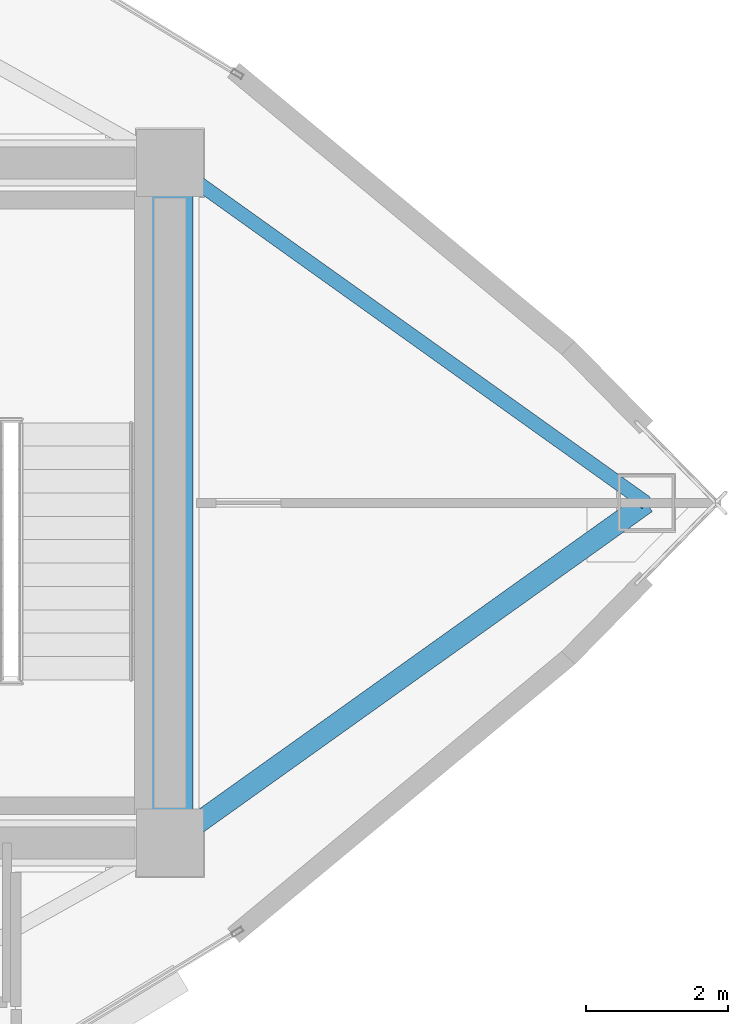
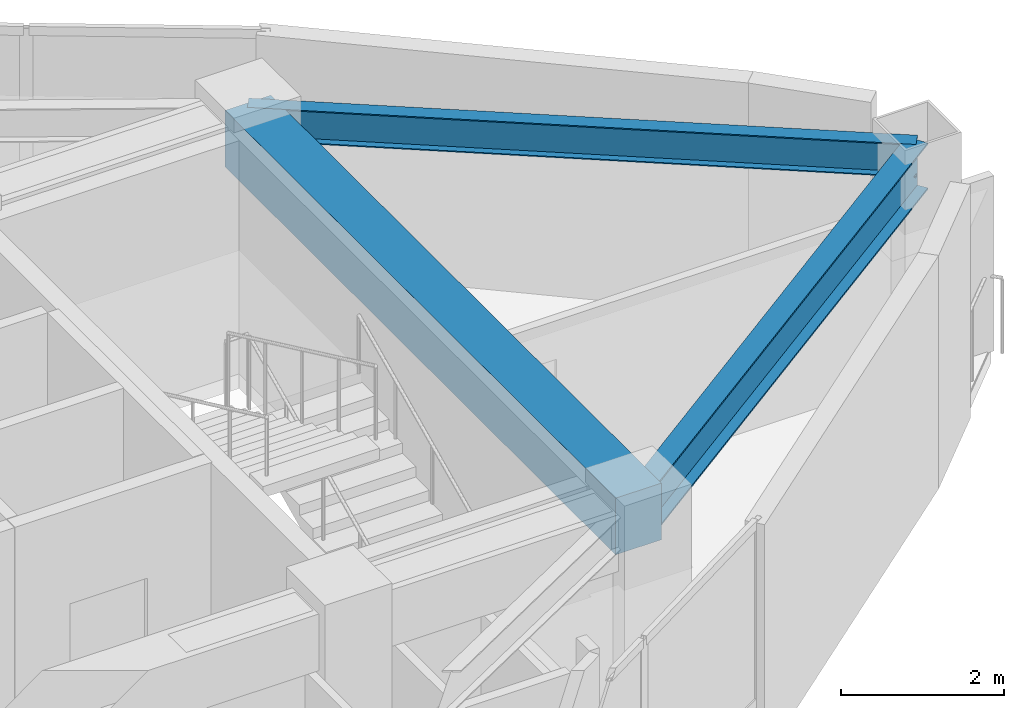
# One storey, part 6 of 15: 3 beams.
"""IFC4 building model written with IfcOpenShell, lengths in metres."""

from ifc_helpers import new_model, si_unit, direction, frame, origin, origin_2d, place, context, subcontext, project, spatial, rectangle, i_section, extrude, material, material_profile, profile_set, type_object, element, save


model = new_model("IFC4")

# Units and contexts
model_context = context("Model", 3, precision=1e-05, world=origin(), true_north=direction((0.0, 1.0)))
body_context = subcontext(model_context, "Body", "Model", "MODEL_VIEW")
ifc_project = project(units=[si_unit("LENGTHUNIT", "METRE"), si_unit("AREAUNIT", "SQUARE_METRE"), si_unit("VOLUMEUNIT", "CUBIC_METRE"), si_unit("PLANEANGLEUNIT", "RADIAN"), si_unit("MASSUNIT", "GRAM", prefix="KILO")], contexts=[model_context])

# Site, building, storey
site_placement = place(None, origin())
site = spatial("IfcSite", under=ifc_project, at=site_placement, CompositionType="ELEMENT")
building_placement = place(site_placement, origin())
building = spatial("IfcBuilding", under=site, at=building_placement, Name="Menara Vayukalpa", CompositionType="ELEMENT")
storey_placement = place(building_placement, frame((0.0, 0.0, 258.300048828125)))
storey = spatial("IfcBuildingStorey", under=building, at=storey_placement, Name="L65", CompositionType="ELEMENT", Elevation=258.300048828125)

# Beams
ifc_material_1 = material(Name="Concrete C60/75", Category="concrete")
ifc_material_profile_1 = material_profile(ifc_material_1, rectangle(XDim=0.64990234375, YDim=0.85009765625, at=origin_2d()), Name="RC 650x850")
ifc_profile_set_1 = profile_set([ifc_material_profile_1], Name="Concrete C60/75")
beam_type_1 = type_object("IfcBeamType", Name="BM-CB1", PredefinedType="BEAM", material=ifc_profile_set_1)
beam_1_placement = place(storey_placement, frame((33.39990234375, 17.199951171875, 3.074951171875), z_axis=(0.0, 1.0, 0.0), x_axis=(-1.0, 0.0, 0.0)))
element("IfcBeam", 1, at=beam_1_placement, inside=storey, type_object=beam_type_1, Name="L65 Core Tie Beam CBR8", PredefinedType="BEAM", context=body_context, shape_type="SweptSolid", body=[
    extrude(rectangle(XDim=0.64990234375, YDim=0.85009765625, at=origin_2d()), origin(), (0.0, 0.0, 1.0), 9.60009765625),
])
ifc_material_2 = material(Name="Steel S355", Category="steel")
ifc_material_profile_2 = material_profile(ifc_material_2, i_section(OverallWidth=0.300048828125, OverallDepth=0.699951171875, WebThickness=0.012939453125, FlangeThickness=0.02392578125, at=origin_2d()), Name="WF 700x300x13x24")
ifc_profile_set_2 = profile_set([ifc_material_profile_2], Name="Steel S355")
beam_type_2 = type_object("IfcBeamType", Name="BM-PG5", PredefinedType="BEAM", material=ifc_profile_set_2)
beam_2_placement = place(storey_placement, frame((33.603515625, 17.34521484375, 3.14990234375), z_axis=(0.813801429135, 0.581143040859, 0.0), x_axis=(-0.581143040859, 0.813801429135, 0.0)))
element("IfcBeam", 2, at=beam_2_placement, inside=storey, type_object=beam_type_2, Name="L65 Primary Radial Girder RG01", PredefinedType="BEAM", context=body_context, shape_type="SweptSolid", body=[
    extrude(i_section(OverallWidth=0.300048828125, OverallDepth=0.699951171875, WebThickness=0.012939453125, FlangeThickness=0.02392578125, at=origin_2d()), origin(), (0.0, 0.0, 1.0), 8.009765625),
])
ifc_material_3 = material(Name="Steel S355", Category="steel")
ifc_material_profile_3 = material_profile(ifc_material_3, i_section(OverallWidth=0.199951171875, OverallDepth=0.5, WebThickness=0.010009765625, FlangeThickness=0.01611328125, at=origin_2d()), Name="WF 500x200x10x16")
ifc_profile_set_3 = profile_set([ifc_material_profile_3], Name="Steel S355")
beam_type_3 = type_object("IfcBeamType", Name="BM-SP3", PredefinedType="SPANDREL", material=ifc_profile_set_3)
beam_3_placement = place(storey_placement, frame((40.121826171875, 22.0, 3.25), z_axis=(-0.813809355401, 0.581131941181, 0.0), x_axis=(-0.581131941181, -0.813809355401, 0.0)))
element("IfcBeam", 3, at=beam_3_placement, inside=storey, type_object=beam_type_3, Name="L65 Perimeter Spandrel Beam SP01", PredefinedType="SPANDREL", context=body_context, shape_type="SweptSolid", body=[
    extrude(i_section(OverallWidth=0.199951171875, OverallDepth=0.5, WebThickness=0.010009765625, FlangeThickness=0.01611328125, at=origin_2d()), origin(), (0.0, 0.0, 1.0), 8.259765625),
])

save(model, "model.ifc")
